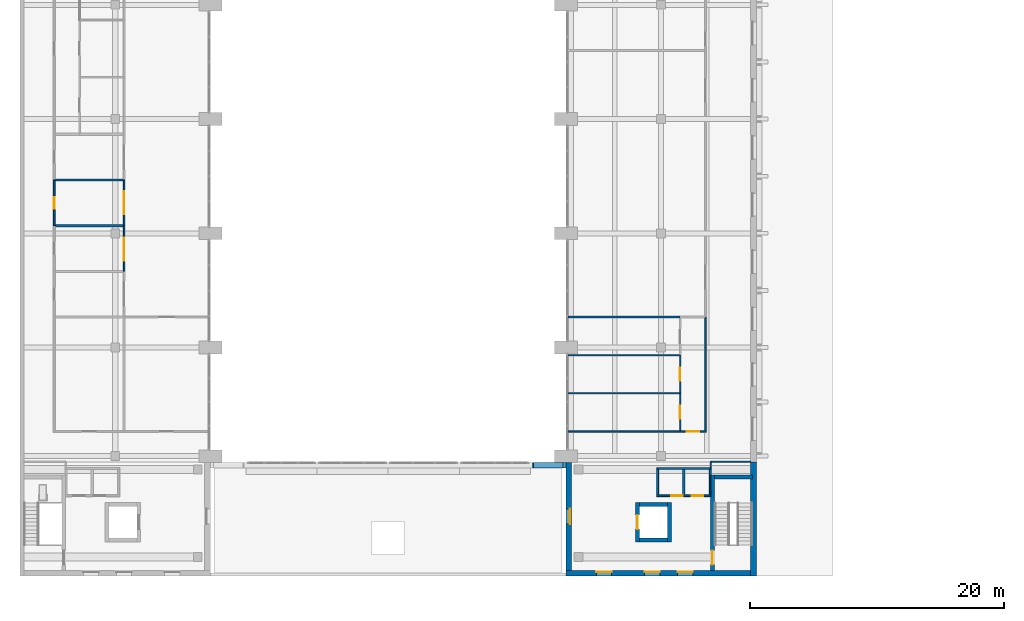
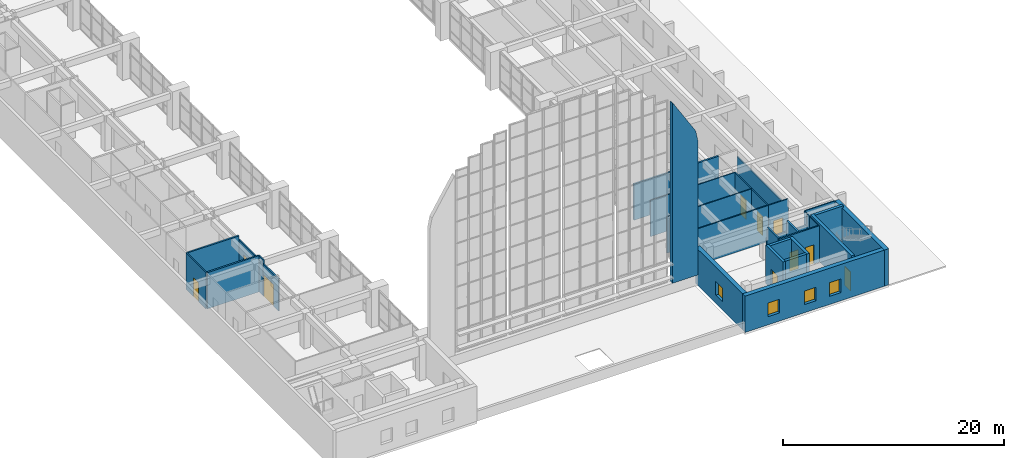
# One storey, part 26 of 45: 32 walls, 10 doors, 4 windows, 14 openings.
"""IFC4 building model written with IfcOpenShell, lengths in metres."""

from ifc_helpers import new_model, si_unit, direction, frame, frame_2d, origin, place, context, subcontext, project, spatial, polyline, rectangle, outline, extrude, material, layer, layer_set, type_object, element, fill, save


model = new_model("IFC4")

# Units and contexts
model_context = context("Model", 3, precision=1e-05, world=origin(), true_north=direction((0.0, 1.0)))
body_context = subcontext(model_context, "Body", "Model", "MODEL_VIEW")
ifc_project = project(units=[si_unit("LENGTHUNIT", "METRE"), si_unit("AREAUNIT", "SQUARE_METRE"), si_unit("VOLUMEUNIT", "CUBIC_METRE"), si_unit("PLANEANGLEUNIT", "RADIAN"), si_unit("MASSUNIT", "GRAM", prefix="KILO")], contexts=[model_context])

# Site, building, storey
site_placement = place(None, origin())
site = spatial("IfcSite", under=ifc_project, at=site_placement, CompositionType="ELEMENT")
building_placement = place(site_placement, origin())
building = spatial("IfcBuilding", under=site, at=building_placement, Name="Elmora Arch Market Hall", CompositionType="ELEMENT")
storey_placement = place(building_placement, frame((0.0, 0.0, 6.0)))
storey = spatial("IfcBuildingStorey", under=building, at=storey_placement, Name="L01", CompositionType="ELEMENT", Elevation=6.0)

# Wall
ifc_material_1 = material(Name="Blockwork", Category="masonry")
ifc_layer_1 = layer(ifc_material_1, 0.10009765625)
ifc_layer_set_1 = layer_set([ifc_layer_1], Name="Blockwork")
wall_type_1 = type_object("IfcWallType", Name="Blockwork partition 100 EI 120", PredefinedType="PARTITIONING", material=ifc_layer_set_1)
wall_1_placement = place(storey_placement, frame((54.35009765625, 24.39990234375, 0.0), z_axis=(0.0, 0.0, 1.0), x_axis=(0.0, 1.0, 0.0)))
element("IfcWall", 1, at=wall_1_placement, inside=storey, type_object=wall_type_1, Name="Riser wall L01 33", PredefinedType="PARTITIONING", context=body_context, shape_type="SweptSolid", body=[
    extrude(rectangle(XDim=1.550048828125, YDim=0.10009765625, at=frame_2d((0.77490234375, 0.0))), origin(), (0.0, 0.0, 1.0), 4.0),
])

# Wall, openings, doors
ifc_material_2 = material(Name="Blockwork", Category="masonry")
ifc_layer_2 = layer(ifc_material_2, 0.14990234375)
ifc_layer_set_2 = layer_set([ifc_layer_2], Name="Blockwork")
wall_type_2 = type_object("IfcWallType", Name="Blockwork partition 150 EI 120", PredefinedType="PARTITIONING", material=ifc_layer_set_2)
wall_2_placement = place(storey_placement, frame((50.14990234375, 24.324951171875, 0.0), z_axis=(0.0, 0.0, 1.0), x_axis=(1.0, 0.0, 0.0)))
wall_2 = element("IfcWall", 2, at=wall_2_placement, inside=storey, type_object=wall_type_2, Name="Riser wall L01 29", PredefinedType="PARTITIONING", context=body_context, shape_type="SweptSolid", body=[
    extrude(rectangle(XDim=4.25, YDim=0.14990234375, at=frame_2d((2.125, 0.0))), origin(), (0.0, 0.0, 1.0), 4.0),
])
opening_1_placement = place(wall_2_placement, frame((1.14990234375, 0.0, 0.0)))
opening_1 = element("IfcOpeningElement", 3, at=opening_1_placement, cuts=wall_2, Name="Opening D-L01-003", PredefinedType="OPENING", context=body_context, shape_type="SweptSolid", body=[
    extrude(rectangle(XDim=0.89990234375, YDim=2.10009765625, at=frame_2d((0.449951171875, 1.050048828125))), frame((0.0, 0.0849609375, 0.0), z_axis=(0.0, -1.0, 0.0), x_axis=(1.0, 0.0, 0.0)), (0.0, 0.0, 1.0), 0.169921875),
])
opening_2_placement = place(wall_2_placement, frame((2.75, 0.0, 0.0)))
opening_2 = element("IfcOpeningElement", 4, at=opening_2_placement, cuts=wall_2, Name="Opening D-L01-004", PredefinedType="OPENING", context=body_context, shape_type="SweptSolid", body=[
    extrude(rectangle(XDim=0.89990234375, YDim=2.10009765625, at=frame_2d((0.449951171875, 1.050048828125))), frame((0.0, 0.0849609375, 0.0), z_axis=(0.0, -1.0, 0.0), x_axis=(1.0, 0.0, 0.0)), (0.0, 0.0, 1.0), 0.169921875),
])
ifc_material_3 = material(Name="Steel ASTM A653 galvanised", Category="steel")
door_type_1 = type_object("IfcDoorType", Name="Door 900 x 2100 FD90", OperationType="SINGLE_SWING_LEFT", PredefinedType="DOOR", material=ifc_material_3)
door_1_placement = place(opening_1_placement, origin())
door_1 = element("IfcDoor", 5, at=door_1_placement, inside=storey, type_object=door_type_1, Name="Riser access door D-L01-003", OperationType="SINGLE_SWING_RIGHT", OverallHeight=2.10009765625, OverallWidth=0.89990234375, PredefinedType="DOOR", context=body_context, shape_type="SweptSolid", body=[
    extrude(rectangle(XDim=0.89990234375, YDim=2.10009765625, at=frame_2d((0.449951171875, 1.050048828125))), frame((0.0, 0.02490234375, 0.0), z_axis=(0.0, -1.0, 0.0), x_axis=(1.0, 0.0, 0.0)), (0.0, 0.0, 1.0), 0.050048828125),
])
fill(opening_1, door_1)
door_2_placement = place(opening_2_placement, origin())
door_2 = element("IfcDoor", 6, at=door_2_placement, inside=storey, type_object=door_type_1, Name="Riser access door D-L01-004", OperationType="SINGLE_SWING_LEFT", OverallHeight=2.10009765625, OverallWidth=0.89990234375, PredefinedType="DOOR", context=body_context, shape_type="SweptSolid", body=[
    extrude(rectangle(XDim=0.89990234375, YDim=2.10009765625, at=frame_2d((0.449951171875, 1.050048828125))), frame((0.0, 0.02490234375, 0.0), z_axis=(0.0, -1.0, 0.0), x_axis=(1.0, 0.0, 0.0)), (0.0, 0.0, 1.0), 0.050048828125),
])
fill(opening_2, door_2)

# Walls
wall_3_placement = place(storey_placement, frame((50.22509765625, 24.39990234375, 0.0), z_axis=(0.0, 0.0, 1.0), x_axis=(0.0, 1.0, 0.0)))
element("IfcWall", 7, at=wall_3_placement, inside=storey, type_object=wall_type_2, Name="Riser wall L01 30", PredefinedType="PARTITIONING", context=body_context, shape_type="SweptSolid", body=[
    extrude(rectangle(XDim=2.0, YDim=0.14990234375, at=frame_2d((1.0, 0.0))), origin(), (0.0, 0.0, 1.0), 4.0),
])
wall_4_placement = place(storey_placement, frame((50.14990234375, 26.47509765625, 0.0), z_axis=(0.0, 0.0, 1.0), x_axis=(1.0, 0.0, 0.0)))
element("IfcWall", 8, at=wall_4_placement, inside=storey, type_object=wall_type_2, Name="Riser wall L01 31", PredefinedType="PARTITIONING", context=body_context, shape_type="SweptSolid", body=[
    extrude(rectangle(XDim=4.300048828125, YDim=0.14990234375, at=frame_2d((2.14990234375, 0.0))), origin(), (0.0, 0.0, 1.0), 2.800048828125),
])
wall_5_placement = place(storey_placement, frame((54.375, 25.949951171875, 0.0), z_axis=(0.0, 0.0, 1.0), x_axis=(0.0, 1.0, 0.0)))
element("IfcWall", 9, at=wall_5_placement, inside=storey, type_object=wall_type_2, Name="Riser wall L01 34", PredefinedType="PARTITIONING", context=body_context, shape_type="SweptSolid", body=[
    extrude(rectangle(XDim=0.449951171875, YDim=0.14990234375, at=frame_2d((0.22509765625, 0.0))), origin(), (0.0, 0.0, 1.0), 4.0),
])
ifc_material_4 = material(Name="Blockwork", Category="masonry")
ifc_layer_3 = layer(ifc_material_4, 0.199951171875)
ifc_layer_set_3 = layer_set([ifc_layer_3], Name="Blockwork")
wall_type_3 = type_object("IfcWallType", Name="Blockwork partition 200 EI 120", PredefinedType="PARTITIONING", material=ifc_layer_set_3)
wall_6_placement = place(storey_placement, frame((52.300048828125, 24.39990234375, 0.0), z_axis=(0.0, 0.0, 1.0), x_axis=(0.0, 1.0, 0.0)))
element("IfcWall", 10, at=wall_6_placement, inside=storey, type_object=wall_type_3, Name="Riser wall L01 32", PredefinedType="PARTITIONING", context=body_context, shape_type="SweptSolid", body=[
    extrude(rectangle(XDim=2.0, YDim=0.199951171875, at=frame_2d((1.0, 0.0))), origin(), (0.0, 0.0, 1.0), 4.0),
])
ifc_material_5 = material(Name="Concrete C40/50", Category="concrete")
ifc_layer_4 = layer(ifc_material_5, 0.449951171875)
ifc_layer_set_4 = layer_set([ifc_layer_4], Name="Concrete C40/50")
wall_type_4 = type_object("IfcWallType", Name="Board-marked concrete wall 450", PredefinedType="SOLIDWALL", material=ifc_layer_set_4)
wall_7_placement = place(storey_placement, frame((57.77490234375, 27.0, 0.0), z_axis=(0.0, 0.0, 1.0), x_axis=(0.0, -1.0, 0.0)))
element("IfcWall", 11, at=wall_7_placement, inside=storey, type_object=wall_type_4, Name="Facade wall east SE L01", PredefinedType="SOLIDWALL", context=body_context, shape_type="SweptSolid", body=[
    extrude(rectangle(XDim=9.0, YDim=0.449951171875, at=frame_2d((4.5, 0.0))), origin(), (0.0, 0.0, 1.0), 4.0),
])

# Wall, openings, windows
wall_8_placement = place(storey_placement, frame((57.550048828125, 18.22509765625, 0.0), z_axis=(0.0, 0.0, 1.0), x_axis=(-1.0, 0.0, 0.0)))
wall_8 = element("IfcWall", 12, at=wall_8_placement, inside=storey, type_object=wall_type_4, Name="Facade wall south SE L01", PredefinedType="SOLIDWALL", context=body_context, shape_type="SweptSolid", body=[
    extrude(rectangle(XDim=14.550048828125, YDim=0.449951171875, at=frame_2d((7.27490234375, 0.0))), origin(), (0.0, 0.0, 1.0), 4.0),
])
opening_3_placement = place(wall_8_placement, frame((4.550048828125, 0.0, 0.89990234375)))
opening_3 = element("IfcOpeningElement", 13, at=opening_3_placement, cuts=wall_8, Name="Opening WC1", PredefinedType="OPENING", context=body_context, shape_type="SweptSolid", body=[
    extrude(rectangle(XDim=1.199951171875, YDim=1.5, at=frame_2d((0.60009765625, 0.75))), frame((0.0, 0.23486328125, 0.0), z_axis=(0.0, -1.0, 0.0), x_axis=(1.0, 0.0, 0.0)), (0.0, 0.0, 1.0), 0.469970703125),
])
opening_4_placement = place(wall_8_placement, frame((7.14990234375, 0.0, 0.89990234375)))
opening_4 = element("IfcOpeningElement", 14, at=opening_4_placement, cuts=wall_8, Name="Opening WC1", PredefinedType="OPENING", context=body_context, shape_type="SweptSolid", body=[
    extrude(rectangle(XDim=1.199951171875, YDim=1.5, at=frame_2d((0.60009765625, 0.75))), frame((0.0, 0.23486328125, 0.0), z_axis=(0.0, -1.0, 0.0), x_axis=(1.0, 0.0, 0.0)), (0.0, 0.0, 1.0), 0.469970703125),
])
opening_5_placement = place(wall_8_placement, frame((10.949951171875, 0.0, 0.89990234375)))
opening_5 = element("IfcOpeningElement", 15, at=opening_5_placement, cuts=wall_8, Name="Opening WC1", PredefinedType="OPENING", context=body_context, shape_type="SweptSolid", body=[
    extrude(rectangle(XDim=1.199951171875, YDim=1.5, at=frame_2d((0.60009765625, 0.75))), frame((0.0, 0.23486328125, 0.0), z_axis=(0.0, -1.0, 0.0), x_axis=(1.0, 0.0, 0.0)), (0.0, 0.0, 1.0), 0.469970703125),
])
ifc_material_6 = material(Name="Aluminium", Category="aluminium")
window_type = type_object("IfcWindowType", Name="Corner block window 1200x1500", PartitioningType="SINGLE_PANEL", PredefinedType="WINDOW", material=ifc_material_6)
window_1_placement = place(opening_3_placement, origin())
window_1 = element("IfcWindow", 16, at=window_1_placement, inside=storey, type_object=window_type, Name="Window WC1 L01 S49", OverallHeight=1.5, OverallWidth=1.199951171875, PartitioningType="SINGLE_PANEL", PredefinedType="WINDOW", context=body_context, shape_type="SweptSolid", body=[
    extrude(rectangle(XDim=1.199951171875, YDim=1.5, at=frame_2d((0.60009765625, 0.75))), frame((0.0, -0.074951171875, 0.0), z_axis=(0.0, -1.0, 0.0), x_axis=(1.0, 0.0, 0.0)), (0.0, 0.0, 1.0), 0.06005859375),
])
fill(opening_3, window_1)
window_2_placement = place(opening_4_placement, origin())
window_2 = element("IfcWindow", 17, at=window_2_placement, inside=storey, type_object=window_type, Name="Window WC1 L01 S50", OverallHeight=1.5, OverallWidth=1.199951171875, PartitioningType="SINGLE_PANEL", PredefinedType="WINDOW", context=body_context, shape_type="SweptSolid", body=[
    extrude(rectangle(XDim=1.199951171875, YDim=1.5, at=frame_2d((0.60009765625, 0.75))), frame((0.0, -0.074951171875, 0.0), z_axis=(0.0, -1.0, 0.0), x_axis=(1.0, 0.0, 0.0)), (0.0, 0.0, 1.0), 0.06005859375),
])
fill(opening_4, window_2)
window_3_placement = place(opening_5_placement, origin())
window_3 = element("IfcWindow", 18, at=window_3_placement, inside=storey, type_object=window_type, Name="Window WC1 L01 S51", OverallHeight=1.5, OverallWidth=1.199951171875, PartitioningType="SINGLE_PANEL", PredefinedType="WINDOW", context=body_context, shape_type="SweptSolid", body=[
    extrude(rectangle(XDim=1.199951171875, YDim=1.5, at=frame_2d((0.60009765625, 0.75))), frame((0.0, -0.074951171875, 0.0), z_axis=(0.0, -1.0, 0.0), x_axis=(1.0, 0.0, 0.0)), (0.0, 0.0, 1.0), 0.06005859375),
])
fill(opening_5, window_3)

# Wall, opening, window
wall_9_placement = place(storey_placement, frame((43.22509765625, 18.449951171875, 0.0), z_axis=(0.0, 0.0, 1.0), x_axis=(0.0, 1.0, 0.0)))
wall_9 = element("IfcWall", 19, at=wall_9_placement, inside=storey, type_object=wall_type_4, Name="Facade wall SE W face L01", PredefinedType="SOLIDWALL", context=body_context, shape_type="SweptSolid", body=[
    extrude(rectangle(XDim=8.5, YDim=0.449951171875, at=frame_2d((4.25, 0.0))), origin(), (0.0, 0.0, 1.0), 4.0),
])
opening_6_placement = place(wall_9_placement, frame((3.64990234375, 0.0, 0.89990234375)))
opening_6 = element("IfcOpeningElement", 20, at=opening_6_placement, cuts=wall_9, Name="Opening WC1", PredefinedType="OPENING", context=body_context, shape_type="SweptSolid", body=[
    extrude(rectangle(XDim=1.199951171875, YDim=1.5, at=frame_2d((0.60009765625, 0.75))), frame((0.0, 0.23486328125, 0.0), z_axis=(0.0, -1.0, 0.0), x_axis=(1.0, 0.0, 0.0)), (0.0, 0.0, 1.0), 0.469970703125),
])
window_4_placement = place(opening_6_placement, origin())
window_4 = element("IfcWindow", 21, at=window_4_placement, inside=storey, type_object=window_type, Name="Window WC1 L01 W52", OverallHeight=1.5, OverallWidth=1.199951171875, PartitioningType="SINGLE_PANEL", PredefinedType="WINDOW", context=body_context, shape_type="SweptSolid", body=[
    extrude(rectangle(XDim=1.199951171875, YDim=1.5, at=frame_2d((0.60009765625, 0.75))), frame((0.0, -0.074951171875, 0.0), z_axis=(0.0, -1.0, 0.0), x_axis=(1.0, 0.0, 0.0)), (0.0, 0.0, 1.0), 0.06005859375),
])
fill(opening_6, window_4)

# Wall
wall_10_placement = place(storey_placement, frame((43.0, 26.72509765625, 1.199951171875), z_axis=(0.0, 0.0, 1.0), x_axis=(-1.0, 0.0, 0.0)))
element("IfcWall", 22, at=wall_10_placement, inside=storey, type_object=wall_type_4, Name="South gable cheek wall E", PredefinedType="SOLIDWALL", context=body_context, shape_type="SweptSolid", body=[
    extrude(outline(polyline([(0.0, 0.0), (2.64990234375, 0.0), (2.64990234375, 19.83740234375), (2.549560546875, 19.763427734375), (0.23046875, 15.968505859375), (0.0, 14.733154296875), (0.0, 0.0)])), frame((0.0, 0.22509765625, 0.0), z_axis=(0.0, -1.0, 0.0), x_axis=(1.0, 0.0, 0.0)), (0.0, 0.0, 1.0), 0.449951171875),
])

# Wall, opening, door
ifc_material_7 = material(Name="Concrete C40/50", Category="concrete")
ifc_layer_5 = layer(ifc_material_7, 0.300048828125)
ifc_layer_set_5 = layer_set([ifc_layer_5], Name="Concrete C40/50")
wall_type_5 = type_object("IfcWallType", Name="Lift shaft wall 300", PredefinedType="SHEAR", material=ifc_layer_set_5)
wall_11_placement = place(storey_placement, frame((48.64990234375, 20.699951171875, 0.0), z_axis=(0.0, 0.0, 1.0), x_axis=(0.0, 1.0, 0.0)))
wall_11 = element("IfcWall", 23, at=wall_11_placement, inside=storey, type_object=wall_type_5, Name="Lift shaft wall WL2 W L01", PredefinedType="SHEAR", context=body_context, shape_type="SweptSolid", body=[
    extrude(rectangle(XDim=3.10009765625, YDim=0.300048828125, at=frame_2d((1.550048828125, 0.0))), origin(), (0.0, 0.0, 1.0), 4.199951171875),
])
opening_7_placement = place(wall_11_placement, frame((1.0, 0.0, 0.0)))
opening_7 = element("IfcOpeningElement", 24, at=opening_7_placement, cuts=wall_11, Name="Opening LD-WL2-L01", PredefinedType="OPENING", context=body_context, shape_type="SweptSolid", body=[
    extrude(rectangle(XDim=1.10009765625, YDim=2.10009765625, at=frame_2d((0.550048828125, 1.050048828125))), frame((0.0, 0.159912109375, 0.0), z_axis=(0.0, -1.0, 0.0), x_axis=(1.0, 0.0, 0.0)), (0.0, 0.0, 1.0), 0.320068359375),
])
ifc_material_8 = material(Name="Stainless steel ASTM A240 Type 304", Category="steel")
door_type_2 = type_object("IfcDoorType", Name="Lift landing door 1100 x 2100 FD90", OperationType="SLIDING_TO_LEFT", PredefinedType="DOOR", material=ifc_material_8)
door_3_placement = place(opening_7_placement, origin())
door_3 = element("IfcDoor", 25, at=door_3_placement, inside=storey, type_object=door_type_2, Name="Landing door WL2 L01", OperationType="SLIDING_TO_LEFT", OverallHeight=2.10009765625, OverallWidth=1.10009765625, PredefinedType="DOOR", context=body_context, shape_type="SweptSolid", body=[
    extrude(rectangle(XDim=1.10009765625, YDim=2.10009765625, at=frame_2d((0.550048828125, 1.050048828125))), frame((0.0, 0.02490234375, 0.0), z_axis=(0.0, -1.0, 0.0), x_axis=(1.0, 0.0, 0.0)), (0.0, 0.0, 1.0), 0.050048828125),
])
fill(opening_7, door_3)

# Walls
wall_12_placement = place(storey_placement, frame((51.14990234375, 20.699951171875, 0.0), z_axis=(0.0, 0.0, 1.0), x_axis=(0.0, 1.0, 0.0)))
element("IfcWall", 26, at=wall_12_placement, inside=storey, type_object=wall_type_5, Name="Lift shaft wall WL2 E L01", PredefinedType="SHEAR", context=body_context, shape_type="SweptSolid", body=[
    extrude(rectangle(XDim=3.10009765625, YDim=0.300048828125, at=frame_2d((1.550048828125, 0.0))), origin(), (0.0, 0.0, 1.0), 4.199951171875),
])
for number, where, z_axis, x_axis, name in (
    (27, (48.800048828125, 20.85009765625, 0.0), (0.0, 0.0, 1.0), (1.0, 0.0, 0.0), "Lift shaft wall WL2 S L01"),
    (28, (48.800048828125, 23.64990234375, 0.0), (0.0, 0.0, 1.0), (1.0, 0.0, 0.0), "Lift shaft wall WL2 N L01"),
):
    element("IfcWall", number, at=place(storey_placement, frame(where, z_axis=z_axis, x_axis=x_axis)), inside=storey, type_object=wall_type_5, Name=name, PredefinedType="SHEAR", context=body_context, shape_type="SweptSolid", body=[
        extrude(rectangle(XDim=2.199951171875, YDim=0.300048828125, at=frame_2d((1.10009765625, 0.0))), origin(), (0.0, 0.0, 1.0), 4.199951171875),
    ])
ifc_material_9 = material(Name="Gypsum board on metal studs")
ifc_layer_6 = layer(ifc_material_9, 0.10009765625)
ifc_layer_set_6 = layer_set([ifc_layer_6], Name="Gypsum board on metal studs")
wall_type_6 = type_object("IfcWallType", Name="Partition 100", PredefinedType="PARTITIONING", material=ifc_layer_set_6)
wall_13_placement = place(storey_placement, frame((54.409912109375, 27.0, 0.0), z_axis=(0.0, 0.0, 1.0), x_axis=(1.0, 0.0, 0.0)))
element("IfcWall", 29, at=wall_13_placement, inside=storey, type_object=wall_type_6, Name="Partition PT-L01-002", PredefinedType="PARTITIONING", context=body_context, shape_type="SweptSolid", body=[
    extrude(rectangle(XDim=3.14013671875, YDim=0.10009765625, at=frame_2d((1.570068359375, 0.0))), origin(), (0.0, 0.0, 1.0), 4.0),
])
for number, where, z_axis, x_axis, name in (
    (30, (43.14990234375, 32.39990234375, 0.0), (0.0, 0.0, 1.0), (1.0, 0.0, 0.0), "Partition PT-L01-007"),
    (31, (43.14990234375, 35.39990234375, 0.0), (0.0, 0.0, 1.0), (1.0, 0.0, 0.0), "Partition PT-L01-008"),
):
    element("IfcWall", number, at=place(storey_placement, frame(where, z_axis=z_axis, x_axis=x_axis)), inside=storey, type_object=wall_type_6, Name=name, PredefinedType="PARTITIONING", context=body_context, shape_type="SweptSolid", body=[
        extrude(rectangle(XDim=8.800048828125, YDim=0.10009765625, at=frame_2d((4.39990234375, 0.0))), origin(), (0.0, 0.0, 1.0), 4.0),
    ])

# Wall, opening, door
wall_14_placement = place(storey_placement, frame((52.0, 29.46240234375, 0.0), z_axis=(0.0, 0.0, 1.0), x_axis=(0.0, 1.0, 0.0)))
wall_14 = element("IfcWall", 32, at=wall_14_placement, inside=storey, type_object=wall_type_6, Name="Partition PT-L01-128", PredefinedType="PARTITIONING", context=body_context, shape_type="SweptSolid", body=[
    extrude(rectangle(XDim=2.9375, YDim=0.10009765625, at=frame_2d((1.46875, 0.0))), origin(), (0.0, 0.0, 1.0), 4.0),
])
opening_8_placement = place(wall_14_placement, frame((0.949951171875, 0.0, 0.0)))
opening_8 = element("IfcOpeningElement", 33, at=opening_8_placement, cuts=wall_14, Name="Opening D-L01-008", PredefinedType="OPENING", context=body_context, shape_type="SweptSolid", body=[
    extrude(rectangle(XDim=1.0, YDim=2.10009765625, at=frame_2d((0.5, 1.050048828125))), frame((0.0, 0.06005859375, 0.0), z_axis=(0.0, -1.0, 0.0), x_axis=(1.0, 0.0, 0.0)), (0.0, 0.0, 1.0), 0.1201171875),
])
ifc_material_10 = material(Name="Timber door set", Category="wood")
door_type_3 = type_object("IfcDoorType", Name="Door 1000 x 2100", OperationType="SINGLE_SWING_LEFT", PredefinedType="DOOR", material=ifc_material_10)
door_4_placement = place(opening_8_placement, origin())
door_4 = element("IfcDoor", 34, at=door_4_placement, inside=storey, type_object=door_type_3, Name="D-L01-008", OperationType="SINGLE_SWING_RIGHT", OverallHeight=2.10009765625, OverallWidth=1.0, PredefinedType="DOOR", context=body_context, shape_type="SweptSolid", body=[
    extrude(rectangle(XDim=1.0, YDim=2.10009765625, at=frame_2d((0.5, 1.050048828125))), frame((0.0, 0.02490234375, 0.0), z_axis=(0.0, -1.0, 0.0), x_axis=(1.0, 0.0, 0.0)), (0.0, 0.0, 1.0), 0.050048828125),
])
fill(opening_8, door_4)

wall_15_placement = place(storey_placement, frame((52.0, 32.39990234375, 0.0), z_axis=(0.0, 0.0, 1.0), x_axis=(0.0, 1.0, 0.0)))
wall_15 = element("IfcWall", 35, at=wall_15_placement, inside=storey, type_object=wall_type_6, Name="Partition PT-L01-129", PredefinedType="PARTITIONING", context=body_context, shape_type="SweptSolid", body=[
    extrude(rectangle(XDim=3.0, YDim=0.10009765625, at=frame_2d((1.5, 0.0))), origin(), (0.0, 0.0, 1.0), 4.0),
])
opening_9_placement = place(wall_15_placement, frame((1.0, 0.0, 0.0)))
opening_9 = element("IfcOpeningElement", 36, at=opening_9_placement, cuts=wall_15, Name="Opening D-L01-009", PredefinedType="OPENING", context=body_context, shape_type="SweptSolid", body=[
    extrude(rectangle(XDim=1.0, YDim=2.10009765625, at=frame_2d((0.5, 1.050048828125))), frame((0.0, 0.06005859375, 0.0), z_axis=(0.0, -1.0, 0.0), x_axis=(1.0, 0.0, 0.0)), (0.0, 0.0, 1.0), 0.1201171875),
])
door_5_placement = place(opening_9_placement, origin())
door_5 = element("IfcDoor", 37, at=door_5_placement, inside=storey, type_object=door_type_3, Name="D-L01-009", OperationType="SINGLE_SWING_LEFT", OverallHeight=2.10009765625, OverallWidth=1.0, PredefinedType="DOOR", context=body_context, shape_type="SweptSolid", body=[
    extrude(rectangle(XDim=1.0, YDim=2.10009765625, at=frame_2d((0.5, 1.050048828125))), frame((0.0, 0.02490234375, 0.0), z_axis=(0.0, -1.0, 0.0), x_axis=(1.0, 0.0, 0.0)), (0.0, 0.0, 1.0), 0.050048828125),
])
fill(opening_9, door_5)

# Walls
wall_16_placement = place(storey_placement, frame((54.39990234375, 26.550048828125, 0.0), z_axis=(0.0, 0.0, 1.0), x_axis=(0.0, 1.0, 0.0)))
element("IfcWall", 38, at=wall_16_placement, inside=storey, type_object=wall_type_6, Name="Partition PT-L01-136", PredefinedType="PARTITIONING", context=body_context, shape_type="SweptSolid", body=[
    extrude(rectangle(XDim=0.43994140625, YDim=0.10009765625, at=frame_2d((0.219970703125, 0.0))), origin(), (0.0, 0.0, 1.0), 4.0),
])
ifc_material_11 = material(Name="Gypsum board on metal studs")
ifc_layer_7 = layer(ifc_material_11, 0.125)
ifc_layer_set_7 = layer_set([ifc_layer_7], Name="Gypsum board on metal studs")
wall_type_7 = type_object("IfcWallType", Name="Partition 125 EI 60", PredefinedType="PARTITIONING", material=ifc_layer_set_7)
wall_17_placement = place(storey_placement, frame((43.14990234375, 29.39990234375, 0.0), z_axis=(0.0, 0.0, 1.0), x_axis=(1.0, 0.0, 0.0)))
element("IfcWall", 39, at=wall_17_placement, inside=storey, type_object=wall_type_7, Name="Partition PT-L01-005", PredefinedType="PARTITIONING", context=body_context, shape_type="SweptSolid", body=[
    extrude(rectangle(XDim=8.85009765625, YDim=0.125, at=frame_2d((4.425048828125, 0.0))), origin(), (0.0, 0.0, 1.0), 4.0),
])

# Wall, opening, door
wall_18_placement = place(storey_placement, frame((52.0, 29.39990234375, 0.0), z_axis=(0.0, 0.0, 1.0), x_axis=(1.0, 0.0, 0.0)))
wall_18 = element("IfcWall", 40, at=wall_18_placement, inside=storey, type_object=wall_type_7, Name="Partition PT-L01-006", PredefinedType="PARTITIONING", context=body_context, shape_type="SweptSolid", body=[
    extrude(rectangle(XDim=2.0625, YDim=0.125, at=frame_2d((1.03125, 0.0))), origin(), (0.0, 0.0, 1.0), 4.0),
])
opening_10_placement = place(wall_18_placement, frame((0.5, 0.0, 0.0)))
opening_10 = element("IfcOpeningElement", 41, at=opening_10_placement, cuts=wall_18, Name="Opening D-L01-007", PredefinedType="OPENING", context=body_context, shape_type="SweptSolid", body=[
    extrude(rectangle(XDim=1.0, YDim=2.10009765625, at=frame_2d((0.5, 1.050048828125))), frame((0.0, 0.072509765625, 0.0), z_axis=(0.0, -1.0, 0.0), x_axis=(1.0, 0.0, 0.0)), (0.0, 0.0, 1.0), 0.14501953125),
])
ifc_material_12 = material(Name="Steel ASTM A653 galvanised", Category="steel")
door_type_4 = type_object("IfcDoorType", Name="Door 1000 x 2100 FD20", OperationType="SINGLE_SWING_LEFT", PredefinedType="DOOR", material=ifc_material_12)
door_6_placement = place(opening_10_placement, origin())
door_6 = element("IfcDoor", 42, at=door_6_placement, inside=storey, type_object=door_type_4, Name="D-L01-007", OperationType="SINGLE_SWING_RIGHT", OverallHeight=2.10009765625, OverallWidth=1.0, PredefinedType="DOOR", context=body_context, shape_type="SweptSolid", body=[
    extrude(rectangle(XDim=1.0, YDim=2.10009765625, at=frame_2d((0.5, 1.050048828125))), frame((0.0, 0.02490234375, 0.0), z_axis=(0.0, -1.0, 0.0), x_axis=(1.0, 0.0, 0.0)), (0.0, 0.0, 1.0), 0.050048828125),
])
fill(opening_10, door_6)

wall_19_placement = place(storey_placement, frame((2.699951171875, 45.60009765625, 0.0), z_axis=(0.0, 0.0, 1.0), x_axis=(0.0, 1.0, 0.0)))
wall_19 = element("IfcWall", 43, at=wall_19_placement, inside=storey, type_object=wall_type_7, Name="Partition PT-L01-084", PredefinedType="PARTITIONING", context=body_context, shape_type="SweptSolid", body=[
    extrude(rectangle(XDim=3.599853515625, YDim=0.125, at=frame_2d((1.7998046875, 0.0))), origin(), (0.0, 0.0, 1.0), 4.0),
])
opening_11_placement = place(wall_19_placement, frame((1.35009765625, 0.0, 0.0)))
opening_11 = element("IfcOpeningElement", 44, at=opening_11_placement, cuts=wall_19, Name="Opening D-L01-017", PredefinedType="OPENING", context=body_context, shape_type="SweptSolid", body=[
    extrude(rectangle(XDim=0.89990234375, YDim=2.10009765625, at=frame_2d((0.449951171875, 1.050048828125))), frame((0.0, 0.072509765625, 0.0), z_axis=(0.0, -1.0, 0.0), x_axis=(1.0, 0.0, 0.0)), (0.0, 0.0, 1.0), 0.14501953125),
])
ifc_material_13 = material(Name="Steel ASTM A653 galvanised", Category="steel")
door_type_5 = type_object("IfcDoorType", Name="Door 900 x 2100 FD45", OperationType="SINGLE_SWING_LEFT", PredefinedType="DOOR", material=ifc_material_13)
door_7_placement = place(opening_11_placement, frame((0.89990234375, 0.0, 0.0), z_axis=(0.0, 0.0, 1.0), x_axis=(-1.0, 0.0, 0.0)))
door_7 = element("IfcDoor", 45, at=door_7_placement, inside=storey, type_object=door_type_5, Name="D-L01-017", OperationType="SINGLE_SWING_RIGHT", OverallHeight=2.10009765625, OverallWidth=0.89990234375, PredefinedType="DOOR", context=body_context, shape_type="SweptSolid", body=[
    extrude(rectangle(XDim=0.89990234375, YDim=2.10009765625, at=frame_2d((0.449951171875, 1.050048828125))), frame((0.0, 0.02490234375, 0.0), z_axis=(0.0, -1.0, 0.0), x_axis=(1.0, 0.0, 0.0)), (0.0, 0.0, 1.0), 0.050048828125),
])
fill(opening_11, door_7)

wall_20_placement = place(storey_placement, frame((8.199951171875, 42.0, 0.0), z_axis=(0.0, 0.0, 1.0), x_axis=(0.0, 1.0, 0.0)))
wall_20 = element("IfcWall", 46, at=wall_20_placement, inside=storey, type_object=wall_type_7, Name="Partition PT-L01-096", PredefinedType="PARTITIONING", context=body_context, shape_type="SweptSolid", body=[
    extrude(rectangle(XDim=2.75, YDim=0.125, at=frame_2d((1.375, 0.0))), origin(), (0.0, 0.0, 1.0), 3.567138671875),
])
opening_12_placement = place(wall_20_placement, frame((0.85009765625, 0.0, 0.0)))
opening_12 = element("IfcOpeningElement", 47, at=opening_12_placement, cuts=wall_20, Name="Opening D-L01-016", PredefinedType="OPENING", context=body_context, shape_type="SweptSolid", body=[
    extrude(rectangle(XDim=1.800048828125, YDim=2.39990234375, at=frame_2d((0.89990234375, 1.199951171875))), frame((0.0, 0.072509765625, 0.0), z_axis=(0.0, -1.0, 0.0), x_axis=(1.0, 0.0, 0.0)), (0.0, 0.0, 1.0), 0.14501953125),
])
ifc_material_14 = material(Name="Aluminium roller shutter", Category="aluminium")
door_type_6 = type_object("IfcDoorType", Name="Roller shutter 1800 x 2400", OperationType="ROLLINGUP", PredefinedType="DOOR", material=ifc_material_14)
door_8_placement = place(opening_12_placement, origin())
door_8 = element("IfcDoor", 48, at=door_8_placement, inside=storey, type_object=door_type_6, Name="D-L01-016", OperationType="ROLLINGUP", OverallHeight=2.39990234375, OverallWidth=1.800048828125, PredefinedType="DOOR", context=body_context, shape_type="SweptSolid", body=[
    extrude(rectangle(XDim=1.800048828125, YDim=2.39990234375, at=frame_2d((0.89990234375, 1.199951171875))), frame((0.0, 0.02490234375, 0.0), z_axis=(0.0, -1.0, 0.0), x_axis=(1.0, 0.0, 0.0)), (0.0, 0.0, 1.0), 0.050048828125),
])
fill(opening_12, door_8)

wall_21_placement = place(storey_placement, frame((8.199951171875, 45.60009765625, 0.0), z_axis=(0.0, 0.0, 1.0), x_axis=(0.0, 1.0, 0.0)))
wall_21 = element("IfcWall", 49, at=wall_21_placement, inside=storey, type_object=wall_type_7, Name="Partition PT-L01-097", PredefinedType="PARTITIONING", context=body_context, shape_type="SweptSolid", body=[
    extrude(rectangle(XDim=3.599853515625, YDim=0.125, at=frame_2d((1.7998046875, 0.0))), origin(), (0.0, 0.0, 1.0), 3.567138671875),
])
opening_13_placement = place(wall_21_placement, frame((0.89990234375, 0.0, 0.0)))
opening_13 = element("IfcOpeningElement", 50, at=opening_13_placement, cuts=wall_21, Name="Opening D-L01-018", PredefinedType="OPENING", context=body_context, shape_type="SweptSolid", body=[
    extrude(rectangle(XDim=1.800048828125, YDim=2.39990234375, at=frame_2d((0.89990234375, 1.199951171875))), frame((0.0, 0.072509765625, 0.0), z_axis=(0.0, -1.0, 0.0), x_axis=(1.0, 0.0, 0.0)), (0.0, 0.0, 1.0), 0.14501953125),
])
door_9_placement = place(opening_13_placement, origin())
door_9 = element("IfcDoor", 51, at=door_9_placement, inside=storey, type_object=door_type_6, Name="D-L01-018", OperationType="ROLLINGUP", OverallHeight=2.39990234375, OverallWidth=1.800048828125, PredefinedType="DOOR", context=body_context, shape_type="SweptSolid", body=[
    extrude(rectangle(XDim=1.800048828125, YDim=2.39990234375, at=frame_2d((0.89990234375, 1.199951171875))), frame((0.0, 0.02490234375, 0.0), z_axis=(0.0, -1.0, 0.0), x_axis=(1.0, 0.0, 0.0)), (0.0, 0.0, 1.0), 0.050048828125),
])
fill(opening_13, door_9)

# Walls
wall_22_placement = place(storey_placement, frame((54.0, 29.46240234375, 0.0), z_axis=(0.0, 0.0, 1.0), x_axis=(0.0, 1.0, 0.0)))
element("IfcWall", 52, at=wall_22_placement, inside=storey, type_object=wall_type_7, Name="Partition PT-L01-131", PredefinedType="PARTITIONING", context=body_context, shape_type="SweptSolid", body=[
    extrude(rectangle(XDim=8.9375, YDim=0.125, at=frame_2d((4.46875, 0.0))), origin(), (0.0, 0.0, 1.0), 3.25),
])
wall_23_placement = place(storey_placement, frame((8.199951171875, 44.75, 0.0), z_axis=(0.0, 0.0, 1.0), x_axis=(0.0, 1.0, 0.0)))
element("IfcWall", 53, at=wall_23_placement, inside=storey, type_object=wall_type_7, Name="Partition PT-L01-096.2", PredefinedType="PARTITIONING", context=body_context, shape_type="SweptSolid", body=[
    extrude(rectangle(XDim=0.85009765625, YDim=0.125, at=frame_2d((0.425048828125, 0.0))), origin(), (0.0, 0.0, 1.0), 4.0),
])
ifc_material_15 = material(Name="Gypsum board on metal studs")
ifc_layer_8 = layer(ifc_material_15, 0.175048828125)
ifc_layer_set_8 = layer_set([ifc_layer_8], Name="Gypsum board on metal studs")
wall_type_8 = type_object("IfcWallType", Name="Partition 175 EI 60", PredefinedType="PARTITIONING", material=ifc_layer_set_8)
wall_24_placement = place(storey_placement, frame((43.14990234375, 38.39990234375, 0.0), z_axis=(0.0, 0.0, 1.0), x_axis=(1.0, 0.0, 0.0)))
element("IfcWall", 54, at=wall_24_placement, inside=storey, type_object=wall_type_8, Name="Partition PT-L01-011", PredefinedType="PARTITIONING", context=body_context, shape_type="SweptSolid", body=[
    extrude(rectangle(XDim=8.85009765625, YDim=0.175048828125, at=frame_2d((4.425048828125, 0.0))), origin(), (0.0, 0.0, 1.0), 4.0),
])
for number, where, z_axis, x_axis, name in (
    (55, (2.762451171875, 45.60009765625, 0.0), (0.0, 0.0, 1.0), (1.0, 0.0, 0.0), "Partition PT-L01-014"),
    (56, (2.762451171875, 49.199951171875, 0.0), (0.0, 0.0, 1.0), (1.0, 0.0, 0.0), "Partition PT-L01-015"),
):
    element("IfcWall", number, at=place(storey_placement, frame(where, z_axis=z_axis, x_axis=x_axis)), inside=storey, type_object=wall_type_8, Name=name, PredefinedType="PARTITIONING", context=body_context, shape_type="SweptSolid", body=[
        extrude(rectangle(XDim=5.375, YDim=0.175048828125, at=frame_2d((2.6875, 0.0))), origin(), (0.0, 0.0, 1.0), 4.0),
    ])
ifc_material_16 = material(Name="Concrete C40/50", Category="concrete")
ifc_layer_9 = layer(ifc_material_16, 0.300048828125)
ifc_layer_set_9 = layer_set([ifc_layer_9], Name="Concrete C40/50")
wall_type_9 = type_object("IfcWallType", Name="Stair wall 300", PredefinedType="SHEAR", material=ifc_layer_set_9)
wall_25_placement = place(storey_placement, frame((54.699951171875, 25.800048828125, 0.0), z_axis=(0.0, 0.0, 1.0), x_axis=(1.0, 0.0, 0.0)))
element("IfcWall", 57, at=wall_25_placement, inside=storey, type_object=wall_type_9, Name="Stair wall ST-ES N L01", PredefinedType="SHEAR", context=body_context, shape_type="SweptSolid", body=[
    extrude(rectangle(XDim=3.0, YDim=0.300048828125, at=frame_2d((1.5, 0.0))), origin(), (0.0, 0.0, 1.0), 4.199951171875),
])

# Wall, opening, door
wall_26_placement = place(storey_placement, frame((54.550048828125, 18.449951171875, 0.0), z_axis=(0.0, 0.0, 1.0), x_axis=(0.0, 1.0, 0.0)))
wall_26 = element("IfcWall", 58, at=wall_26_placement, inside=storey, type_object=wall_type_9, Name="Stair wall ST-ES W L01", PredefinedType="SHEAR", context=body_context, shape_type="SweptSolid", body=[
    extrude(rectangle(XDim=7.5, YDim=0.300048828125, at=frame_2d((3.75, 0.0))), origin(), (0.0, 0.0, 1.0), 4.199951171875),
])
opening_14_placement = place(wall_26_placement, frame((0.449951171875, 0.0, 0.0)))
opening_14 = element("IfcOpeningElement", 59, at=opening_14_placement, cuts=wall_26, Name="Opening ST-ES-L01", PredefinedType="OPENING", context=body_context, shape_type="SweptSolid", body=[
    extrude(rectangle(XDim=1.10009765625, YDim=2.10009765625, at=frame_2d((0.550048828125, 1.050048828125))), frame((0.0, 0.159912109375, 0.0), z_axis=(0.0, -1.0, 0.0), x_axis=(1.0, 0.0, 0.0)), (0.0, 0.0, 1.0), 0.320068359375),
])
ifc_material_17 = material(Name="Steel ASTM A653 galvanised", Category="steel")
door_type_7 = type_object("IfcDoorType", Name="Stair door 1100 x 2100 FD90", OperationType="SINGLE_SWING_LEFT", PredefinedType="DOOR", material=ifc_material_17)
door_10_placement = place(opening_14_placement, frame((1.10009765625, 0.0, 0.0), z_axis=(0.0, 0.0, 1.0), x_axis=(-1.0, 0.0, 0.0)))
door_10 = element("IfcDoor", 60, at=door_10_placement, inside=storey, type_object=door_type_7, Name="Stair door ST-ES L01", OperationType="SINGLE_SWING_RIGHT", OverallHeight=2.10009765625, OverallWidth=1.10009765625, PredefinedType="DOOR", context=body_context, shape_type="SweptSolid", body=[
    extrude(rectangle(XDim=1.10009765625, YDim=2.10009765625, at=frame_2d((0.550048828125, 1.050048828125))), frame((0.0, 0.02490234375, 0.0), z_axis=(0.0, -1.0, 0.0), x_axis=(1.0, 0.0, 0.0)), (0.0, 0.0, 1.0), 0.050048828125),
])
fill(opening_14, door_10)

save(model, "model.ifc")
